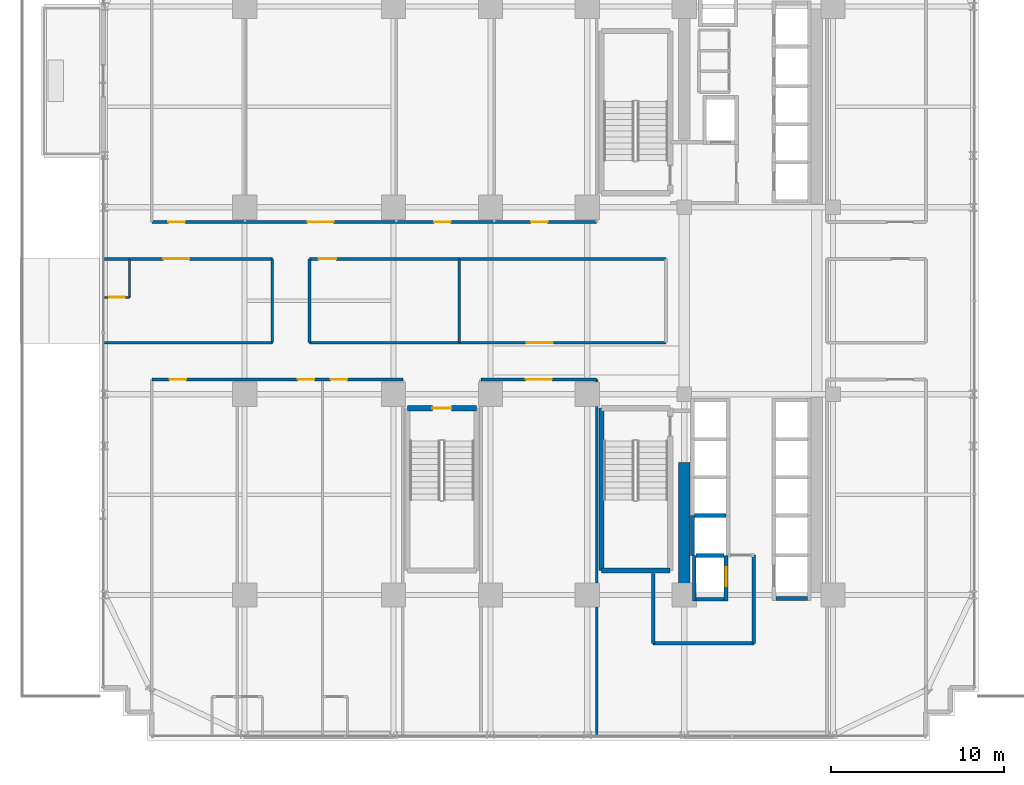
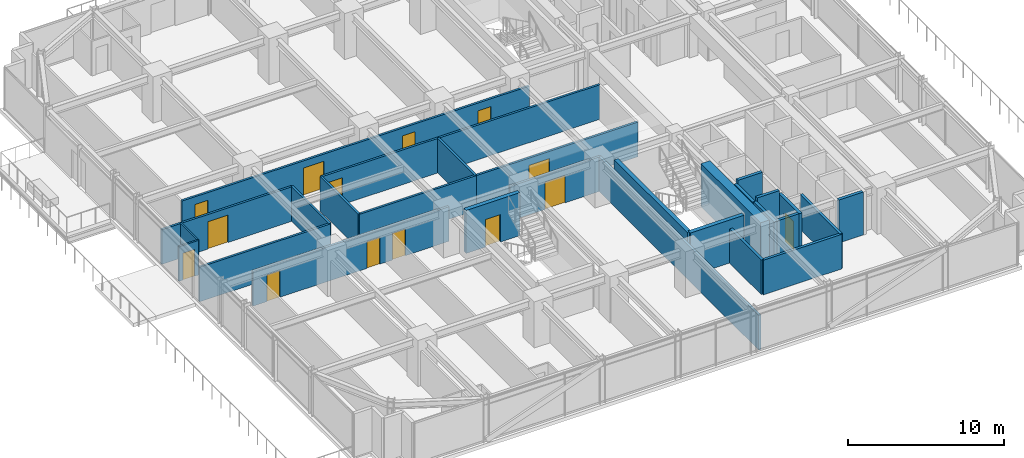
# One storey, part 30 of 39: 29 walls, 14 doors, 14 openings.
"""IFC4 building model written with IfcOpenShell, lengths in metres."""

from ifc_helpers import new_model, si_unit, direction, frame, frame_2d, origin, place, context, subcontext, project, spatial, rectangle, extrude, source, transform, mapped, material, layer, layer_set, type_object, element, fill, save


model = new_model("IFC4")

# Units and contexts
model_context = context("Model", 3, precision=1e-05, world=origin(), true_north=direction((0.0, 1.0)))
body_context = subcontext(model_context, "Body", "Model", "MODEL_VIEW")
ifc_project = project(units=[si_unit("LENGTHUNIT", "METRE"), si_unit("AREAUNIT", "SQUARE_METRE"), si_unit("VOLUMEUNIT", "CUBIC_METRE"), si_unit("PLANEANGLEUNIT", "RADIAN"), si_unit("MASSUNIT", "GRAM", prefix="KILO")], contexts=[model_context])

# Site, building, storey
site_placement = place(None, origin())
site = spatial("IfcSite", under=ifc_project, at=site_placement, CompositionType="ELEMENT")
building_placement = place(site_placement, origin())
building = spatial("IfcBuilding", under=site, at=building_placement, Name="Nahalor Promenade Grand Hotel", CompositionType="ELEMENT")
storey_placement = place(building_placement, frame((0.0, 0.0, 32.39990234375)))
storey = spatial("IfcBuildingStorey", under=building, at=storey_placement, Name="L06", CompositionType="ELEMENT", Elevation=32.39990234375)

# Walls
ifc_material_1 = material(Name="Concrete B-60 (C50/60)", Category="concrete")
ifc_layer_1 = layer(ifc_material_1, 0.64990234375)
ifc_layer_set_1 = layer_set([ifc_layer_1], Name="Concrete B-60 (C50/60)")
wall_type_1 = type_object("IfcWallType", Name="Wall-CoreShear-650", PredefinedType="SHEAR", material=ifc_layer_set_1)
shared_shape_1 = source(origin(), body_context, "Body", "SweptSolid", [
    extrude(rectangle(XDim=7.64990234375, YDim=0.64990234375, at=frame_2d((3.824951171875, 0.0))), origin(), (0.0, 0.0, 1.0), 3.3701171875),
])
wall_1_placement = place(storey_placement, frame((8.39990234375, -17.0, 0.0), z_axis=(0.0, 0.0, 1.0), x_axis=(0.0, 1.0, 0.0)))
element("IfcWall", 1, at=wall_1_placement, inside=storey, type_object=wall_type_1, Name="CWALL-L06-SW", PredefinedType="SHEAR", context=body_context, shape_type="MappedRepresentation", body=[
    mapped(shared_shape_1, transform((0.0, 0.0, 0.0), scale=1.0)),
])
ifc_material_2 = material(Name="Concrete B-50 (C40/50)", Category="concrete")
ifc_layer_2 = layer(ifc_material_2, 0.300048828125)
ifc_layer_set_2 = layer_set([ifc_layer_2], Name="Concrete B-50 (C40/50)")
wall_type_2 = type_object("IfcWallType", Name="Wall-ShaftShear-300", PredefinedType="SHEAR", material=ifc_layer_set_2)
shared_shape_2 = source(origin(), body_context, "Body", "SweptSolid", [
    extrude(rectangle(XDim=3.97998046875, YDim=0.300048828125, at=frame_2d((1.989990234375, 0.0))), origin(), (0.0, 0.0, 1.0), 3.3701171875),
])
wall_2_placement = place(storey_placement, frame((3.610107421875, -15.590087890625, 0.0), z_axis=(0.0, 0.0, 1.0), x_axis=(1.0, 0.0, 0.0)))
element("IfcWall", 2, at=wall_2_placement, inside=storey, type_object=wall_type_2, Name="L06 Exit Stair ST2 Shaft Wall S", PredefinedType="SHEAR", context=body_context, shape_type="MappedRepresentation", body=[
    mapped(shared_shape_2, transform((0.0, 0.0, 0.0), scale=1.0)),
])

# Wall, opening, door
wall_3_placement = place(storey_placement, frame((-7.590087890625, -6.2099609375, 0.0), z_axis=(0.0, 0.0, 1.0), x_axis=(1.0, 0.0, 0.0)))
wall_3 = element("IfcWall", 3, at=wall_3_placement, inside=storey, type_object=wall_type_2, Name="L06 Exit Stair ST3 Shaft Wall N", PredefinedType="SHEAR", context=body_context, shape_type="MappedRepresentation", body=[
    mapped(shared_shape_2, transform((0.0, 0.0, 0.0), scale=1.0)),
])
opening_1_placement = place(wall_3_placement, frame((1.43994140625, 0.0, 0.0)))
opening_1 = element("IfcOpeningElement", 4, at=opening_1_placement, cuts=wall_3, Name="Opening D-ST1", PredefinedType="OPENING", context=body_context, shape_type="SweptSolid", body=[
    extrude(rectangle(XDim=1.10009765625, YDim=2.14990234375, at=frame_2d((0.550048828125, 1.074951171875))), frame((0.0, 0.159912109375, 0.0), z_axis=(0.0, -1.0, 0.0), x_axis=(1.0, 0.0, 0.0)), (0.0, 0.0, 1.0), 0.320068359375),
])
ifc_material_3 = material(Name="Steel S355JR", Category="steel")
door_type_1 = type_object("IfcDoorType", Name="Door-StairFire-1100", OperationType="NOTDEFINED", PredefinedType="DOOR", material=ifc_material_3)
shared_shape_3 = source(origin(), body_context, "Body", "SweptSolid", [
    extrude(rectangle(XDim=1.10009765625, YDim=2.14990234375, at=frame_2d((0.550048828125, 1.074951171875))), frame((0.0, 0.02490234375, 0.0), z_axis=(0.0, -1.0, 0.0), x_axis=(1.0, 0.0, 0.0)), (0.0, 0.0, 1.0), 0.050048828125),
])
door_1_placement = place(opening_1_placement, frame((1.10009765625, 0.0, 0.0), z_axis=(0.0, 0.0, 1.0), x_axis=(-1.0, 0.0, 0.0)))
door_1 = element("IfcDoor", 5, at=door_1_placement, inside=storey, type_object=door_type_1, Name="DR-STAIR-ST3-L06", OperationType="SINGLE_SWING_LEFT", OverallHeight=2.14990234375, OverallWidth=1.10009765625, PredefinedType="DOOR", context=body_context, shape_type="MappedRepresentation", body=[
    mapped(shared_shape_3, transform((0.0, 0.0, 0.0), scale=1.0)),
])
fill(opening_1, door_1)

# Walls
shared_shape_4 = source(origin(), body_context, "Body", "SweptSolid", [
    extrude(rectangle(XDim=9.380126953125, YDim=0.300048828125, at=frame_2d((4.68994140625, 0.0))), origin(), (0.0, 0.0, 1.0), 3.3701171875),
])
wall_4_placement = place(storey_placement, frame((3.610107421875, -15.590087890625, 0.0), z_axis=(0.0, 0.0, 1.0), x_axis=(0.0, 1.0, 0.0)))
element("IfcWall", 6, at=wall_4_placement, inside=storey, type_object=wall_type_2, Name="L06 Exit Stair ST2 Shaft Wall W", PredefinedType="SHEAR", context=body_context, shape_type="MappedRepresentation", body=[
    mapped(shared_shape_4, transform((0.0, 0.0, 0.0), scale=1.0)),
])
ifc_layer_3 = layer(ifc_material_2, 0.219970703125)
ifc_layer_set_3 = layer_set([ifc_layer_3], Name="Concrete B-50 (C40/50)")
wall_type_3 = type_object("IfcWallType", Name="Wall-LiftShaft-220", PredefinedType="SHEAR", material=ifc_layer_set_3)
shared_shape_5 = source(origin(), body_context, "Body", "SweptSolid", [
    extrude(rectangle(XDim=1.820068359375, YDim=0.219970703125, at=frame_2d((0.91015625, 0.0))), origin(), (0.0, 0.0, 1.0), 3.3701171875),
])
wall_5_placement = place(storey_placement, frame((13.68994140625, -17.199951171875, 0.0), z_axis=(0.0, 0.0, 1.0), x_axis=(1.0, 0.0, 0.0)))
element("IfcWall", 7, at=wall_5_placement, inside=storey, type_object=wall_type_3, Name="L06 Lift SV2 Hoistway Wall S", PredefinedType="SHEAR", context=body_context, shape_type="MappedRepresentation", body=[
    mapped(shared_shape_5, transform((0.0, 0.0, 0.0), scale=1.0)),
])
shared_shape_6 = source(origin(), body_context, "Body", "SweptSolid", [
    extrude(rectangle(XDim=1.820068359375, YDim=0.219970703125, at=frame_2d((0.91015625, 0.0))), origin(), (0.0, 0.0, 1.0), 3.650146484375),
])
wall_6_placement = place(storey_placement, frame((8.989990234375, -12.39990234375, 0.0), z_axis=(0.0, 0.0, 1.0), x_axis=(1.0, 0.0, 0.0)))
element("IfcWall", 8, at=wall_6_placement, inside=storey, type_object=wall_type_3, Name="L06 Lift PL12 Hoistway Wall N", PredefinedType="SHEAR", context=body_context, shape_type="MappedRepresentation", body=[
    mapped(shared_shape_6, transform((0.0, 0.0, 0.0), scale=1.0)),
])
shared_shape_7 = source(origin(), body_context, "Body", "SweptSolid", [
    extrude(rectangle(XDim=2.3251953125, YDim=0.219970703125, at=frame_2d((1.16259765625, 0.0))), origin(), (0.0, 0.0, 1.0), 3.3701171875),
])
wall_7_placement = place(storey_placement, frame((8.8798828125, -14.72509765625, 0.0), z_axis=(0.0, 0.0, 1.0), x_axis=(0.0, 1.0, 0.0)))
element("IfcWall", 9, at=wall_7_placement, inside=storey, type_object=wall_type_3, Name="L06 Lift PL12 Hoistway Wall W", PredefinedType="SHEAR", context=body_context, shape_type="MappedRepresentation", body=[
    mapped(shared_shape_7, transform((0.0, 0.0, 0.0), scale=1.0)),
])
shared_shape_8 = source(origin(), body_context, "Body", "SweptSolid", [
    extrude(rectangle(XDim=2.635009765625, YDim=0.219970703125, at=frame_2d((1.3173828125, 0.0))), origin(), (0.0, 0.0, 1.0), 3.3701171875),
])
wall_8_placement = place(storey_placement, frame((8.97998046875, -17.360107421875, 0.0), z_axis=(0.0, 0.0, 1.0), x_axis=(0.0, 1.0, 0.0)))
element("IfcWall", 10, at=wall_8_placement, inside=storey, type_object=wall_type_3, Name="L06 Lift FL2 Hoistway Wall W", PredefinedType="SHEAR", context=body_context, shape_type="MappedRepresentation", body=[
    mapped(shared_shape_8, transform((0.0, 0.0, 0.0), scale=1.0)),
])

# Wall, opening, door
wall_9_placement = place(storey_placement, frame((10.820068359375, -17.360107421875, 0.0), z_axis=(0.0, 0.0, 1.0), x_axis=(0.0, 1.0, 0.0)))
wall_9 = element("IfcWall", 11, at=wall_9_placement, inside=storey, type_object=wall_type_3, Name="L06 Lift FL2 Hoistway Wall E", PredefinedType="SHEAR", context=body_context, shape_type="MappedRepresentation", body=[
    mapped(shared_shape_8, transform((0.0, 0.0, 0.0), scale=1.0)),
])
opening_2_placement = place(wall_9_placement, frame((0.860107421875, 0.0, 0.0)))
opening_2 = element("IfcOpeningElement", 12, at=opening_2_placement, cuts=wall_9, Name="Opening LD-02", PredefinedType="OPENING", context=body_context, shape_type="SweptSolid", body=[
    extrude(rectangle(XDim=1.10009765625, YDim=2.199951171875, at=frame_2d((0.550048828125, 1.10009765625))), frame((0.0, 0.119873046875, 0.0), z_axis=(0.0, -1.0, 0.0), x_axis=(1.0, 0.0, 0.0)), (0.0, 0.0, 1.0), 0.239990234375),
])
door_type_2 = type_object("IfcDoorType", Name="Door-LiftFF-1100", OperationType="DOUBLE_DOOR_SLIDING", PredefinedType="DOOR", material=ifc_material_3)
shared_shape_9 = source(origin(), body_context, "Body", "SweptSolid", [
    extrude(rectangle(XDim=1.10009765625, YDim=2.199951171875, at=frame_2d((0.550048828125, 1.10009765625))), frame((0.0, 0.02490234375, 0.0), z_axis=(0.0, -1.0, 0.0), x_axis=(1.0, 0.0, 0.0)), (0.0, 0.0, 1.0), 0.050048828125),
])
door_2_placement = place(opening_2_placement, frame((1.10009765625, 0.0, 0.0), z_axis=(0.0, 0.0, 1.0), x_axis=(-1.0, 0.0, 0.0)))
door_2 = element("IfcDoor", 13, at=door_2_placement, inside=storey, type_object=door_type_2, Name="DR-LIFT-FL2-L06", OperationType="DOUBLE_DOOR_SLIDING", OverallHeight=2.199951171875, OverallWidth=1.10009765625, PredefinedType="DOOR", context=body_context, shape_type="MappedRepresentation", body=[
    mapped(shared_shape_9, transform((0.0, 0.0, 0.0), scale=1.0)),
])
fill(opening_2, door_2)

# Walls
shared_shape_10 = source(origin(), body_context, "Body", "SweptSolid", [
    extrude(rectangle(XDim=1.619873046875, YDim=0.219970703125, at=frame_2d((0.81005859375, 0.0))), origin(), (0.0, 0.0, 1.0), 3.3701171875),
])
wall_10_placement = place(storey_placement, frame((9.090087890625, -17.25, 0.0), z_axis=(0.0, 0.0, 1.0), x_axis=(1.0, 0.0, 0.0)))
element("IfcWall", 14, at=wall_10_placement, inside=storey, type_object=wall_type_3, Name="L06 Lift FL2 Hoistway Wall S", PredefinedType="SHEAR", context=body_context, shape_type="MappedRepresentation", body=[
    mapped(shared_shape_10, transform((0.0, 0.0, 0.0), scale=1.0)),
])
shared_shape_11 = source(origin(), body_context, "Body", "SweptSolid", [
    extrude(rectangle(XDim=1.619873046875, YDim=0.219970703125, at=frame_2d((0.81005859375, 0.0))), origin(), (0.0, 0.0, 1.0), 3.650146484375),
])
wall_11_placement = place(storey_placement, frame((9.090087890625, -14.72509765625, 0.0), z_axis=(0.0, 0.0, 1.0), x_axis=(1.0, 0.0, 0.0)))
element("IfcWall", 15, at=wall_11_placement, inside=storey, type_object=wall_type_3, Name="L06 Lift FL2 Hoistway Wall N", PredefinedType="SHEAR", context=body_context, shape_type="MappedRepresentation", body=[
    mapped(shared_shape_11, transform((0.0, 0.0, 0.0), scale=1.0)),
])
ifc_material_4 = material(Name="Concrete B-40 (C32/40)", Category="concrete")
ifc_layer_4 = layer(ifc_material_4, 0.199951171875)
ifc_layer_set_4 = layer_set([ifc_layer_4], Name="Concrete B-40 (C32/40)")
wall_type_4 = type_object("IfcWallType", Name="Wall-PartFire-200", PredefinedType="PARTITIONING", material=ifc_layer_set_4)
shared_shape_12 = source(origin(), body_context, "Body", "SweptSolid", [
    extrude(rectangle(XDim=5.81982421875, YDim=0.199951171875, at=frame_2d((2.909912109375, 0.0))), origin(), (0.0, 0.0, 1.0), 2.710205078125),
])
wall_12_placement = place(storey_placement, frame((6.60009765625, -19.800048828125, 0.0), z_axis=(0.0, 0.0, 1.0), x_axis=(1.0, 0.0, 0.0)))
element("IfcWall", 16, at=wall_12_placement, inside=storey, type_object=wall_type_4, Name="W-L06-FF2-S1", PredefinedType="PARTITIONING", context=body_context, shape_type="MappedRepresentation", body=[
    mapped(shared_shape_12, transform((0.0, 0.0, 0.0), scale=1.0)),
])
shared_shape_13 = source(origin(), body_context, "Body", "SweptSolid", [
    extrude(rectangle(XDim=4.030029296875, YDim=0.199951171875, at=frame_2d((2.01513671875, 0.0))), origin(), (0.0, 0.0, 1.0), 2.710205078125),
])
wall_13_placement = place(storey_placement, frame((6.60009765625, -19.800048828125, 0.0), z_axis=(0.0, 0.0, 1.0), x_axis=(0.0, 1.0, 0.0)))
element("IfcWall", 17, at=wall_13_placement, inside=storey, type_object=wall_type_4, Name="W-L06-FF2-W1", PredefinedType="PARTITIONING", context=body_context, shape_type="MappedRepresentation", body=[
    mapped(shared_shape_13, transform((0.0, 0.0, 0.0), scale=1.0)),
])
shared_shape_14 = source(origin(), body_context, "Body", "SweptSolid", [
    extrude(rectangle(XDim=5.10009765625, YDim=0.199951171875, at=frame_2d((2.550048828125, 0.0))), origin(), (0.0, 0.0, 1.0), 2.710205078125),
])
wall_14_placement = place(storey_placement, frame((12.419921875, -19.800048828125, 0.0), z_axis=(0.0, 0.0, 1.0), x_axis=(0.0, 1.0, 0.0)))
element("IfcWall", 18, at=wall_14_placement, inside=storey, type_object=wall_type_4, Name="W-L06-FF2-E", PredefinedType="PARTITIONING", context=body_context, shape_type="MappedRepresentation", body=[
    mapped(shared_shape_14, transform((0.0, 0.0, 0.0), scale=1.0)),
])
ifc_material_5 = material(Name="Acoustic Mineral Gypsum", Category="gypsum")
ifc_layer_5 = layer(ifc_material_5, 0.159912109375)
ifc_layer_set_5 = layer_set([ifc_layer_5], Name="Acoustic Mineral Gypsum")
wall_type_5 = type_object("IfcWallType", Name="Wall-PartCorridor-160", PredefinedType="PARTITIONING", material=ifc_layer_set_5)
shared_shape_15 = source(origin(), body_context, "Body", "SweptSolid", [
    extrude(rectangle(XDim=20.550048828125, YDim=0.159912109375, at=frame_2d((10.27490234375, 0.0))), origin(), (0.0, 0.0, 1.0), 2.710205078125),
])
wall_15_placement = place(storey_placement, frame((3.340087890625, -25.10009765625, 0.0), z_axis=(0.0, 0.0, 1.0), x_axis=(0.0, 1.0, 0.0)))
element("IfcWall", 19, at=wall_15_placement, inside=storey, type_object=wall_type_5, Name="W-L06-SCB-E", PredefinedType="PARTITIONING", context=body_context, shape_type="MappedRepresentation", body=[
    mapped(shared_shape_15, transform((0.0, 0.0, 0.0), scale=1.0)),
])

# Wall, openings, doors
shared_shape_16 = source(origin(), body_context, "Body", "SweptSolid", [
    extrude(rectangle(XDim=25.7001953125, YDim=0.159912109375, at=frame_2d((12.85009765625, 0.0))), origin(), (0.0, 0.0, 1.0), 2.710205078125),
])
wall_16_placement = place(storey_placement, frame((-22.360107421875, 4.550048828125, 0.0), z_axis=(0.0, 0.0, 1.0), x_axis=(1.0, 0.0, 0.0)))
wall_16 = element("IfcWall", 20, at=wall_16_placement, inside=storey, type_object=wall_type_5, Name="W-L06-CORR-N", PredefinedType="PARTITIONING", context=body_context, shape_type="MappedRepresentation", body=[
    mapped(shared_shape_16, transform((0.0, 0.0, 0.0), scale=1.0)),
])
opening_3_placement = place(wall_16_placement, frame((0.9560546875, 0.0, 0.0)))
opening_3 = element("IfcOpeningElement", 21, at=opening_3_placement, cuts=wall_16, Name="Opening D-01", PredefinedType="OPENING", context=body_context, shape_type="SweptSolid", body=[
    extrude(rectangle(XDim=0.949951171875, YDim=2.10009765625, at=frame_2d((0.47509765625, 1.050048828125))), frame((0.0, 0.08984375, 0.0), z_axis=(0.0, -1.0, 0.0), x_axis=(1.0, 0.0, 0.0)), (0.0, 0.0, 1.0), 0.179931640625),
])
opening_4_placement = place(wall_16_placement, frame((8.998046875, 0.0, 0.0)))
opening_4 = element("IfcOpeningElement", 22, at=opening_4_placement, cuts=wall_16, Name="Opening D-02", PredefinedType="OPENING", context=body_context, shape_type="SweptSolid", body=[
    extrude(rectangle(XDim=1.5, YDim=2.14990234375, at=frame_2d((0.75, 1.074951171875))), frame((0.0, 0.08984375, 0.0), z_axis=(0.0, -1.0, 0.0), x_axis=(1.0, 0.0, 0.0)), (0.0, 0.0, 1.0), 0.179931640625),
])
opening_5_placement = place(wall_16_placement, frame((16.305908203125, 0.0, 0.0)))
opening_5 = element("IfcOpeningElement", 23, at=opening_5_placement, cuts=wall_16, Name="Opening D-01", PredefinedType="OPENING", context=body_context, shape_type="SweptSolid", body=[
    extrude(rectangle(XDim=0.949951171875, YDim=2.10009765625, at=frame_2d((0.47509765625, 1.050048828125))), frame((0.0, 0.08984375, 0.0), z_axis=(0.0, -1.0, 0.0), x_axis=(1.0, 0.0, 0.0)), (0.0, 0.0, 1.0), 0.179931640625),
])
opening_6_placement = place(wall_16_placement, frame((21.908935546875, 0.0, 0.0)))
opening_6 = element("IfcOpeningElement", 24, at=opening_6_placement, cuts=wall_16, Name="Opening D-01", PredefinedType="OPENING", context=body_context, shape_type="SweptSolid", body=[
    extrude(rectangle(XDim=0.949951171875, YDim=2.10009765625, at=frame_2d((0.47509765625, 1.050048828125))), frame((0.0, 0.08984375, 0.0), z_axis=(0.0, -1.0, 0.0), x_axis=(1.0, 0.0, 0.0)), (0.0, 0.0, 1.0), 0.179931640625),
])
ifc_material_6 = material(Name="Fire-Rated Timber Composite", Category="wood")
door_type_3 = type_object("IfcDoorType", Name="Door-SuiteDouble-1500", OperationType="DOUBLE_DOOR_SINGLE_SWING", PredefinedType="DOOR", material=ifc_material_6)
shared_shape_17 = source(origin(), body_context, "Body", "SweptSolid", [
    extrude(rectangle(XDim=1.5, YDim=2.14990234375, at=frame_2d((0.75, 1.074951171875))), frame((0.0, 0.02490234375, 0.0), z_axis=(0.0, -1.0, 0.0), x_axis=(1.0, 0.0, 0.0)), (0.0, 0.0, 1.0), 0.050048828125),
])
door_3_placement = place(opening_4_placement, origin())
door_3 = element("IfcDoor", 25, at=door_3_placement, inside=storey, type_object=door_type_3, Name="DR-L06-N2-ENT", OperationType="DOUBLE_DOOR_SINGLE_SWING", OverallHeight=2.14990234375, OverallWidth=1.5, PredefinedType="DOOR", context=body_context, shape_type="MappedRepresentation", body=[
    mapped(shared_shape_17, transform((0.0, 0.0, 0.0), scale=1.0)),
])
fill(opening_4, door_3)
door_type_4 = type_object("IfcDoorType", Name="Door-GuestEntry-950", OperationType="NOTDEFINED", PredefinedType="DOOR", material=ifc_material_6)
shared_shape_18 = source(origin(), body_context, "Body", "SweptSolid", [
    extrude(rectangle(XDim=0.949951171875, YDim=2.10009765625, at=frame_2d((0.47509765625, 1.050048828125))), frame((0.0, 0.02490234375, 0.0), z_axis=(0.0, -1.0, 0.0), x_axis=(1.0, 0.0, 0.0)), (0.0, 0.0, 1.0), 0.050048828125),
])
door_4_placement = place(opening_3_placement, origin())
door_4 = element("IfcDoor", 26, at=door_4_placement, inside=storey, type_object=door_type_4, Name="DR-L06-N1-ENT", OperationType="SINGLE_SWING_LEFT", OverallHeight=2.10009765625, OverallWidth=0.949951171875, PredefinedType="DOOR", context=body_context, shape_type="MappedRepresentation", body=[
    mapped(shared_shape_18, transform((0.0, 0.0, 0.0), scale=1.0)),
])
fill(opening_3, door_4)
door_5_placement = place(opening_5_placement, origin())
door_5 = element("IfcDoor", 27, at=door_5_placement, inside=storey, type_object=door_type_4, Name="DR-L06-N3-ENT", OperationType="SINGLE_SWING_RIGHT", OverallHeight=2.10009765625, OverallWidth=0.949951171875, PredefinedType="DOOR", context=body_context, shape_type="MappedRepresentation", body=[
    mapped(shared_shape_18, transform((0.0, 0.0, 0.0), scale=1.0)),
])
fill(opening_5, door_5)
door_6_placement = place(opening_6_placement, origin())
door_6 = element("IfcDoor", 28, at=door_6_placement, inside=storey, type_object=door_type_4, Name="DR-L06-N4-ENT", OperationType="SINGLE_SWING_RIGHT", OverallHeight=2.10009765625, OverallWidth=0.949951171875, PredefinedType="DOOR", context=body_context, shape_type="MappedRepresentation", body=[
    mapped(shared_shape_18, transform((0.0, 0.0, 0.0), scale=1.0)),
])
fill(opening_6, door_6)

# Wall, opening, door
ifc_layer_6 = layer(ifc_material_5, 0.1201171875)
ifc_layer_set_6 = layer_set([ifc_layer_6], Name="Acoustic Mineral Gypsum")
wall_type_6 = type_object("IfcWallType", Name="Wall-PartBath-120", PredefinedType="PARTITIONING", material=ifc_layer_set_6)
shared_shape_19 = source(origin(), body_context, "Body", "SweptSolid", [
    extrude(rectangle(XDim=1.4501953125, YDim=0.1201171875, at=frame_2d((0.72509765625, 0.0))), origin(), (0.0, 0.0, 1.0), 2.710205078125),
])
wall_17_placement = place(storey_placement, frame((-25.10009765625, 0.199951171875, 0.0), z_axis=(0.0, 0.0, 1.0), x_axis=(1.0, 0.0, 0.0)))
wall_17 = element("IfcWall", 29, at=wall_17_placement, inside=storey, type_object=wall_type_6, Name="W-L06-W1-BH", PredefinedType="PARTITIONING", context=body_context, shape_type="MappedRepresentation", body=[
    mapped(shared_shape_19, transform((0.0, 0.0, 0.0), scale=1.0)),
])
opening_7_placement = place(wall_17_placement, frame((0.284912109375, 0.0, 0.0)))
opening_7 = element("IfcOpeningElement", 30, at=opening_7_placement, cuts=wall_17, Name="Opening D-03", PredefinedType="OPENING", context=body_context, shape_type="SweptSolid", body=[
    extrude(rectangle(XDim=0.8798828125, YDim=2.10009765625, at=frame_2d((0.43994140625, 1.050048828125))), frame((0.0, 0.070068359375, 0.0), z_axis=(0.0, -1.0, 0.0), x_axis=(1.0, 0.0, 0.0)), (0.0, 0.0, 1.0), 0.14013671875),
])
door_type_5 = type_object("IfcDoorType", Name="Door-BathSwing-880", OperationType="NOTDEFINED", PredefinedType="DOOR", material=ifc_material_6)
shared_shape_20 = source(origin(), body_context, "Body", "SweptSolid", [
    extrude(rectangle(XDim=0.8798828125, YDim=2.10009765625, at=frame_2d((0.43994140625, 1.050048828125))), frame((0.0, 0.02490234375, 0.0), z_axis=(0.0, -1.0, 0.0), x_axis=(1.0, 0.0, 0.0)), (0.0, 0.0, 1.0), 0.050048828125),
])
door_7_placement = place(opening_7_placement, origin())
door_7 = element("IfcDoor", 31, at=door_7_placement, inside=storey, type_object=door_type_5, Name="DR-L06-W1-BATH", OperationType="SINGLE_SWING_LEFT", OverallHeight=2.10009765625, OverallWidth=0.8798828125, PredefinedType="DOOR", context=body_context, shape_type="MappedRepresentation", body=[
    mapped(shared_shape_20, transform((0.0, 0.0, 0.0), scale=1.0)),
])
fill(opening_7, door_7)

# Wall, openings, doors
shared_shape_21 = source(origin(), body_context, "Body", "SweptSolid", [
    extrude(rectangle(XDim=14.5, YDim=0.159912109375, at=frame_2d((7.25, 0.0))), origin(), (0.0, 0.0, 1.0), 2.710205078125),
])
wall_18_placement = place(storey_placement, frame((-22.360107421875, -4.550048828125, 0.0), z_axis=(0.0, 0.0, 1.0), x_axis=(1.0, 0.0, 0.0)))
wall_18 = element("IfcWall", 32, at=wall_18_placement, inside=storey, type_object=wall_type_5, Name="W-L06-CORR-S", PredefinedType="PARTITIONING", context=body_context, shape_type="MappedRepresentation", body=[
    mapped(shared_shape_21, transform((0.0, 0.0, 0.0), scale=1.0)),
])
opening_8_placement = place(wall_18_placement, frame((1.02490234375, 0.0, 0.0)))
opening_8 = element("IfcOpeningElement", 33, at=opening_8_placement, cuts=wall_18, Name="Opening D-01", PredefinedType="OPENING", context=body_context, shape_type="SweptSolid", body=[
    extrude(rectangle(XDim=0.949951171875, YDim=2.10009765625, at=frame_2d((0.47509765625, 1.050048828125))), frame((0.0, 0.08984375, 0.0), z_axis=(0.0, -1.0, 0.0), x_axis=(1.0, 0.0, 0.0)), (0.0, 0.0, 1.0), 0.179931640625),
])
opening_9_placement = place(wall_18_placement, frame((8.43603515625, 0.0, 0.0)))
opening_9 = element("IfcOpeningElement", 34, at=opening_9_placement, cuts=wall_18, Name="Opening D-01", PredefinedType="OPENING", context=body_context, shape_type="SweptSolid", body=[
    extrude(rectangle(XDim=0.949951171875, YDim=2.10009765625, at=frame_2d((0.47509765625, 1.050048828125))), frame((0.0, 0.08984375, 0.0), z_axis=(0.0, -1.0, 0.0), x_axis=(1.0, 0.0, 0.0)), (0.0, 0.0, 1.0), 0.179931640625),
])
opening_10_placement = place(wall_18_placement, frame((10.327880859375, 0.0, 0.0)))
opening_10 = element("IfcOpeningElement", 35, at=opening_10_placement, cuts=wall_18, Name="Opening D-01", PredefinedType="OPENING", context=body_context, shape_type="SweptSolid", body=[
    extrude(rectangle(XDim=0.949951171875, YDim=2.10009765625, at=frame_2d((0.47509765625, 1.050048828125))), frame((0.0, 0.08984375, 0.0), z_axis=(0.0, -1.0, 0.0), x_axis=(1.0, 0.0, 0.0)), (0.0, 0.0, 1.0), 0.179931640625),
])
door_8_placement = place(opening_8_placement, frame((0.949951171875, 0.0, 0.0), z_axis=(0.0, 0.0, 1.0), x_axis=(-1.0, 0.0, 0.0)))
door_8 = element("IfcDoor", 36, at=door_8_placement, inside=storey, type_object=door_type_4, Name="DR-L06-S1-ENT", OperationType="SINGLE_SWING_RIGHT", OverallHeight=2.10009765625, OverallWidth=0.949951171875, PredefinedType="DOOR", context=body_context, shape_type="MappedRepresentation", body=[
    mapped(shared_shape_18, transform((0.0, 0.0, 0.0), scale=1.0)),
])
fill(opening_8, door_8)
door_9_placement = place(opening_9_placement, frame((0.949951171875, 0.0, 0.0), z_axis=(0.0, 0.0, 1.0), x_axis=(-1.0, 0.0, 0.0)))
door_9 = element("IfcDoor", 37, at=door_9_placement, inside=storey, type_object=door_type_4, Name="DR-L06-S2-ENT", OperationType="SINGLE_SWING_RIGHT", OverallHeight=2.10009765625, OverallWidth=0.949951171875, PredefinedType="DOOR", context=body_context, shape_type="MappedRepresentation", body=[
    mapped(shared_shape_18, transform((0.0, 0.0, 0.0), scale=1.0)),
])
fill(opening_9, door_9)
door_10_placement = place(opening_10_placement, frame((0.949951171875, 0.0, 0.0), z_axis=(0.0, 0.0, 1.0), x_axis=(-1.0, 0.0, 0.0)))
door_10 = element("IfcDoor", 38, at=door_10_placement, inside=storey, type_object=door_type_4, Name="DR-L06-S3-ENT", OperationType="SINGLE_SWING_RIGHT", OverallHeight=2.10009765625, OverallWidth=0.949951171875, PredefinedType="DOOR", context=body_context, shape_type="MappedRepresentation", body=[
    mapped(shared_shape_18, transform((0.0, 0.0, 0.0), scale=1.0)),
])
fill(opening_10, door_10)

# Wall, opening, door
shared_shape_22 = source(origin(), body_context, "Body", "SweptSolid", [
    extrude(rectangle(XDim=6.68017578125, YDim=0.159912109375, at=frame_2d((3.340087890625, 0.0))), origin(), (0.0, 0.0, 1.0), 2.710205078125),
])
wall_19_placement = place(storey_placement, frame((-3.340087890625, -4.550048828125, 0.0), z_axis=(0.0, 0.0, 1.0), x_axis=(1.0, 0.0, 0.0)))
wall_19 = element("IfcWall", 39, at=wall_19_placement, inside=storey, type_object=wall_type_5, Name="W-L06-SCB-N", PredefinedType="PARTITIONING", context=body_context, shape_type="MappedRepresentation", body=[
    mapped(shared_shape_22, transform((0.0, 0.0, 0.0), scale=1.0)),
])
opening_11_placement = place(wall_19_placement, frame((2.590087890625, 0.0, 0.0)))
opening_11 = element("IfcOpeningElement", 40, at=opening_11_placement, cuts=wall_19, Name="Opening D-02", PredefinedType="OPENING", context=body_context, shape_type="SweptSolid", body=[
    extrude(rectangle(XDim=1.5, YDim=2.14990234375, at=frame_2d((0.75, 1.074951171875))), frame((0.0, 0.08984375, 0.0), z_axis=(0.0, -1.0, 0.0), x_axis=(1.0, 0.0, 0.0)), (0.0, 0.0, 1.0), 0.179931640625),
])
door_11_placement = place(opening_11_placement, frame((1.5, 0.0, 0.0), z_axis=(0.0, 0.0, 1.0), x_axis=(-1.0, 0.0, 0.0)))
door_11 = element("IfcDoor", 41, at=door_11_placement, inside=storey, type_object=door_type_3, Name="DR-L06-SCB", OperationType="DOUBLE_DOOR_SINGLE_SWING", OverallHeight=2.14990234375, OverallWidth=1.5, PredefinedType="DOOR", context=body_context, shape_type="MappedRepresentation", body=[
    mapped(shared_shape_17, transform((0.0, 0.0, 0.0), scale=1.0)),
])
fill(opening_11, door_11)

shared_shape_23 = source(origin(), body_context, "Body", "SweptSolid", [
    extrude(rectangle(XDim=9.7001953125, YDim=0.159912109375, at=frame_2d((4.85009765625, 0.0))), origin(), (0.0, 0.0, 1.0), 2.710205078125),
])
wall_20_placement = place(storey_placement, frame((-25.10009765625, 2.419921875, 0.0), z_axis=(0.0, 0.0, 1.0), x_axis=(1.0, 0.0, 0.0)))
wall_20 = element("IfcWall", 42, at=wall_20_placement, inside=storey, type_object=wall_type_5, Name="W-L06-WEST-N", PredefinedType="PARTITIONING", context=body_context, shape_type="MappedRepresentation", body=[
    mapped(shared_shape_23, transform((0.0, 0.0, 0.0), scale=1.0)),
])
opening_12_placement = place(wall_20_placement, frame((3.409912109375, 0.0, 0.0)))
opening_12 = element("IfcOpeningElement", 43, at=opening_12_placement, cuts=wall_20, Name="Opening D-02", PredefinedType="OPENING", context=body_context, shape_type="SweptSolid", body=[
    extrude(rectangle(XDim=1.5, YDim=2.14990234375, at=frame_2d((0.75, 1.074951171875))), frame((0.0, 0.08984375, 0.0), z_axis=(0.0, -1.0, 0.0), x_axis=(1.0, 0.0, 0.0)), (0.0, 0.0, 1.0), 0.179931640625),
])
door_12_placement = place(opening_12_placement, origin())
door_12 = element("IfcDoor", 44, at=door_12_placement, inside=storey, type_object=door_type_3, Name="DR-L06-W1-ENT", OperationType="DOUBLE_DOOR_SINGLE_SWING", OverallHeight=2.14990234375, OverallWidth=1.5, PredefinedType="DOOR", context=body_context, shape_type="MappedRepresentation", body=[
    mapped(shared_shape_17, transform((0.0, 0.0, 0.0), scale=1.0)),
])
fill(opening_12, door_12)

# Walls
wall_21_placement = place(storey_placement, frame((-25.10009765625, -2.419921875, 0.0), z_axis=(0.0, 0.0, 1.0), x_axis=(1.0, 0.0, 0.0)))
element("IfcWall", 45, at=wall_21_placement, inside=storey, type_object=wall_type_5, Name="W-L06-WEST-S", PredefinedType="PARTITIONING", context=body_context, shape_type="MappedRepresentation", body=[
    mapped(shared_shape_23, transform((0.0, 0.0, 0.0), scale=1.0)),
])
shared_shape_24 = source(origin(), body_context, "Body", "SweptSolid", [
    extrude(rectangle(XDim=4.83984375, YDim=0.159912109375, at=frame_2d((2.419921875, 0.0))), origin(), (0.0, 0.0, 1.0), 2.710205078125),
])
for number, where, z_axis, x_axis, name in (
    (46, (-15.39990234375, -2.419921875, 0.0), (0.0, 0.0, 1.0), (0.0, 1.0, 0.0), "W-L06-WEST-E"),
    (47, (-13.25, -2.419921875, 0.0), (0.0, 0.0, 1.0), (0.0, 1.0, 0.0), "W-L06-CM1-W"),
    (48, (-4.597900390625, -2.419921875, 0.0), (0.0, 0.0, 1.0), (0.0, 1.0, 0.0), "W-L06-CM1-E"),
):
    element("IfcWall", number, at=place(storey_placement, frame(where, z_axis=z_axis, x_axis=x_axis)), inside=storey, type_object=wall_type_5, Name=name, PredefinedType="PARTITIONING", context=body_context, shape_type="MappedRepresentation", body=[
        mapped(shared_shape_24, transform((0.0, 0.0, 0.0), scale=1.0)),
    ])
shared_shape_25 = source(origin(), body_context, "Body", "SweptSolid", [
    extrude(rectangle(XDim=2.219970703125, YDim=0.1201171875, at=frame_2d((1.10986328125, 0.0))), origin(), (0.0, 0.0, 1.0), 2.710205078125),
])
wall_22_placement = place(storey_placement, frame((-23.64990234375, 0.199951171875, 0.0), z_axis=(0.0, 0.0, 1.0), x_axis=(0.0, 1.0, 0.0)))
element("IfcWall", 49, at=wall_22_placement, inside=storey, type_object=wall_type_6, Name="W-L06-W1-BV", PredefinedType="PARTITIONING", context=body_context, shape_type="MappedRepresentation", body=[
    mapped(shared_shape_25, transform((0.0, 0.0, 0.0), scale=1.0)),
])
shared_shape_26 = source(origin(), body_context, "Body", "SweptSolid", [
    extrude(rectangle(XDim=8.652099609375, YDim=0.159912109375, at=frame_2d((4.326171875, 0.0))), origin(), (0.0, 0.0, 1.0), 2.710205078125),
])
wall_23_placement = place(storey_placement, frame((-13.25, -2.419921875, 0.0), z_axis=(0.0, 0.0, 1.0), x_axis=(1.0, 0.0, 0.0)))
element("IfcWall", 50, at=wall_23_placement, inside=storey, type_object=wall_type_5, Name="W-L06-CM1-S", PredefinedType="PARTITIONING", context=body_context, shape_type="MappedRepresentation", body=[
    mapped(shared_shape_26, transform((0.0, 0.0, 0.0), scale=1.0)),
])

# Wall, opening, door
wall_24_placement = place(storey_placement, frame((-13.25, 2.419921875, 0.0), z_axis=(0.0, 0.0, 1.0), x_axis=(1.0, 0.0, 0.0)))
wall_24 = element("IfcWall", 51, at=wall_24_placement, inside=storey, type_object=wall_type_5, Name="W-L06-CM1-N", PredefinedType="PARTITIONING", context=body_context, shape_type="MappedRepresentation", body=[
    mapped(shared_shape_26, transform((0.0, 0.0, 0.0), scale=1.0)),
])
opening_13_placement = place(wall_24_placement, frame((0.530029296875, 0.0, 0.0)))
opening_13 = element("IfcOpeningElement", 52, at=opening_13_placement, cuts=wall_24, Name="Opening D-04", PredefinedType="OPENING", context=body_context, shape_type="SweptSolid", body=[
    extrude(rectangle(XDim=1.0, YDim=2.10009765625, at=frame_2d((0.5, 1.050048828125))), frame((0.0, 0.08984375, 0.0), z_axis=(0.0, -1.0, 0.0), x_axis=(1.0, 0.0, 0.0)), (0.0, 0.0, 1.0), 0.179931640625),
])
door_type_6 = type_object("IfcDoorType", Name="Door-ServiceFire-1000", OperationType="NOTDEFINED", PredefinedType="DOOR", material=ifc_material_3)
shared_shape_27 = source(origin(), body_context, "Body", "SweptSolid", [
    extrude(rectangle(XDim=1.0, YDim=2.10009765625, at=frame_2d((0.5, 1.050048828125))), frame((0.0, 0.02490234375, 0.0), z_axis=(0.0, -1.0, 0.0), x_axis=(1.0, 0.0, 0.0)), (0.0, 0.0, 1.0), 0.050048828125),
])
door_13_placement = place(opening_13_placement, frame((1.0, 0.0, 0.0), z_axis=(0.0, 0.0, 1.0), x_axis=(-1.0, 0.0, 0.0)))
door_13 = element("IfcDoor", 53, at=door_13_placement, inside=storey, type_object=door_type_6, Name="DR-L06-CM1", OperationType="SINGLE_SWING_RIGHT", OverallHeight=2.10009765625, OverallWidth=1.0, PredefinedType="DOOR", context=body_context, shape_type="MappedRepresentation", body=[
    mapped(shared_shape_27, transform((0.0, 0.0, 0.0), scale=1.0)),
])
fill(opening_13, door_13)

shared_shape_28 = source(origin(), body_context, "Body", "SweptSolid", [
    extrude(rectangle(XDim=11.947998046875, YDim=0.159912109375, at=frame_2d((5.97412109375, 0.0))), origin(), (0.0, 0.0, 1.0), 2.710205078125),
])
wall_25_placement = place(storey_placement, frame((-4.597900390625, -2.419921875, 0.0), z_axis=(0.0, 0.0, 1.0), x_axis=(1.0, 0.0, 0.0)))
wall_25 = element("IfcWall", 54, at=wall_25_placement, inside=storey, type_object=wall_type_5, Name="W-L06-CM2-S", PredefinedType="PARTITIONING", context=body_context, shape_type="MappedRepresentation", body=[
    mapped(shared_shape_28, transform((0.0, 0.0, 0.0), scale=1.0)),
])
opening_14_placement = place(wall_25_placement, frame((3.89501953125, 0.0, 0.0)))
opening_14 = element("IfcOpeningElement", 55, at=opening_14_placement, cuts=wall_25, Name="Opening D-02", PredefinedType="OPENING", context=body_context, shape_type="SweptSolid", body=[
    extrude(rectangle(XDim=1.5, YDim=2.14990234375, at=frame_2d((0.75, 1.074951171875))), frame((0.0, 0.08984375, 0.0), z_axis=(0.0, -1.0, 0.0), x_axis=(1.0, 0.0, 0.0)), (0.0, 0.0, 1.0), 0.179931640625),
])
door_14_placement = place(opening_14_placement, origin())
door_14 = element("IfcDoor", 56, at=door_14_placement, inside=storey, type_object=door_type_3, Name="DR-L06-CM2", OperationType="DOUBLE_DOOR_SINGLE_SWING", OverallHeight=2.14990234375, OverallWidth=1.5, PredefinedType="DOOR", context=body_context, shape_type="MappedRepresentation", body=[
    mapped(shared_shape_17, transform((0.0, 0.0, 0.0), scale=1.0)),
])
fill(opening_14, door_14)

# Wall
wall_26_placement = place(storey_placement, frame((-4.597900390625, 2.419921875, 0.0), z_axis=(0.0, 0.0, 1.0), x_axis=(1.0, 0.0, 0.0)))
element("IfcWall", 57, at=wall_26_placement, inside=storey, type_object=wall_type_5, Name="W-L06-CM2-N", PredefinedType="PARTITIONING", context=body_context, shape_type="MappedRepresentation", body=[
    mapped(shared_shape_28, transform((0.0, 0.0, 0.0), scale=1.0)),
])

save(model, "model.ifc")
